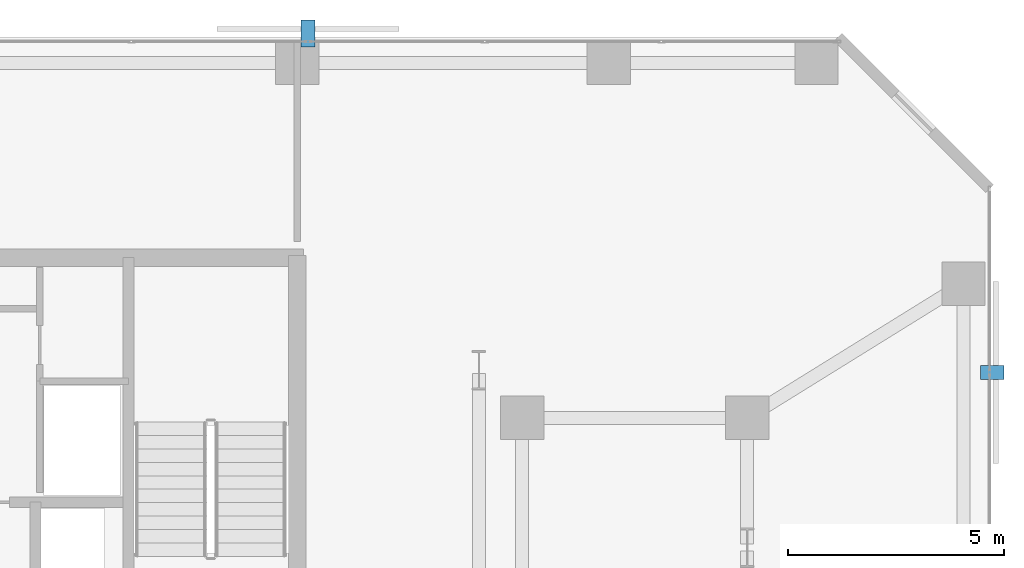
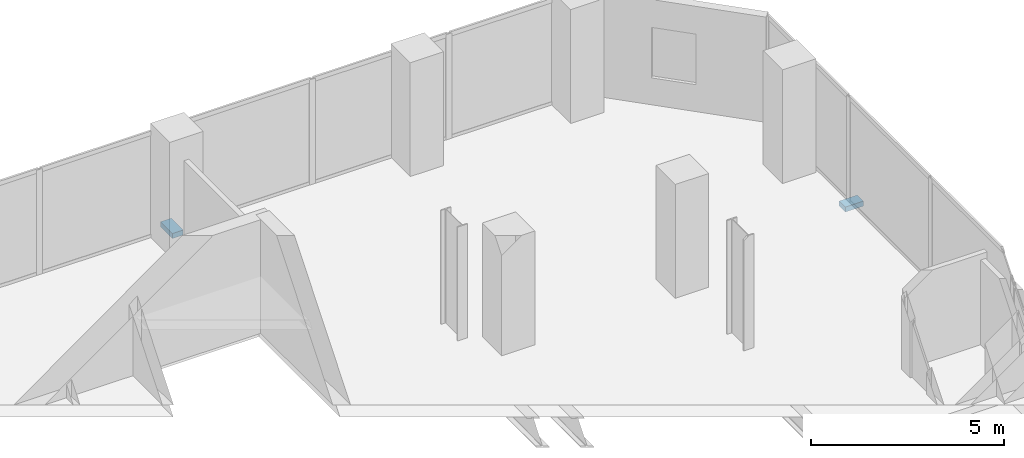
# One storey, part 30 of 32: 2 discrete accessories.
"""IFC4 building model written with IfcOpenShell, lengths in metres."""

from ifc_helpers import new_model, si_unit, direction, frame, origin, origin_2d, place, context, subcontext, project, spatial, rectangle, extrude, material, type_object, element, save


model = new_model("IFC4")

# Units and contexts
model_context = context("Model", 3, precision=1e-05, world=origin(), true_north=direction((0.0, 1.0)))
body_context = subcontext(model_context, "Body", "Model", "MODEL_VIEW")
ifc_project = project(units=[si_unit("LENGTHUNIT", "METRE"), si_unit("AREAUNIT", "SQUARE_METRE"), si_unit("VOLUMEUNIT", "CUBIC_METRE"), si_unit("PLANEANGLEUNIT", "RADIAN"), si_unit("MASSUNIT", "GRAM", prefix="KILO")], contexts=[model_context])

# Site, building, storey
site_placement = place(None, origin())
site = spatial("IfcSite", under=ifc_project, at=site_placement, CompositionType="ELEMENT")
building_placement = place(site_placement, origin())
building = spatial("IfcBuilding", under=site, at=building_placement, Name="Catumbela Crestline Tower", CompositionType="ELEMENT")
storey_placement = place(building_placement, frame((0.0, 0.0, 33.0)))
storey = spatial("IfcBuildingStorey", under=building, at=storey_placement, Name="L07", CompositionType="ELEMENT", Elevation=33.0)

# Discrete accessories
ifc_material = material(Name="Stainless steel EN 1.4401", Category="steel")
discrete_accessory_type = type_object("IfcDiscreteAccessoryType", Name="BK-SS1", PredefinedType="BRACKET", material=ifc_material)
discrete_accessory_1_placement = place(storey_placement, frame((56.065, 40.25, -0.18), z_axis=(0.0, 0.0, 1.0), x_axis=(0.0, 1.0, 0.0)))
element("IfcDiscreteAccessory", 1, at=discrete_accessory_1_placement, inside=storey, type_object=discrete_accessory_type, Name="L07 Solar Screen Stainless Bracket 38", PredefinedType="BRACKET", context=body_context, shape_type="SweptSolid", body=[
    extrude(rectangle(XDim=0.32, YDim=0.54, at=origin_2d()), origin(), (0.0, 0.0, 1.0), 0.16),
])
discrete_accessory_2_placement = place(storey_placement, frame((40.25, 48.085, -0.18), z_axis=(0.0, 0.0, 1.0), x_axis=(-1.0, 0.0, 0.0)))
element("IfcDiscreteAccessory", 2, at=discrete_accessory_2_placement, inside=storey, type_object=discrete_accessory_type, Name="L07 Solar Screen Stainless Bracket 39", PredefinedType="BRACKET", context=body_context, shape_type="SweptSolid", body=[
    extrude(rectangle(XDim=0.32, YDim=0.62, at=origin_2d()), origin(), (0.0, 0.0, 1.0), 0.16),
])

save(model, "model.ifc")
